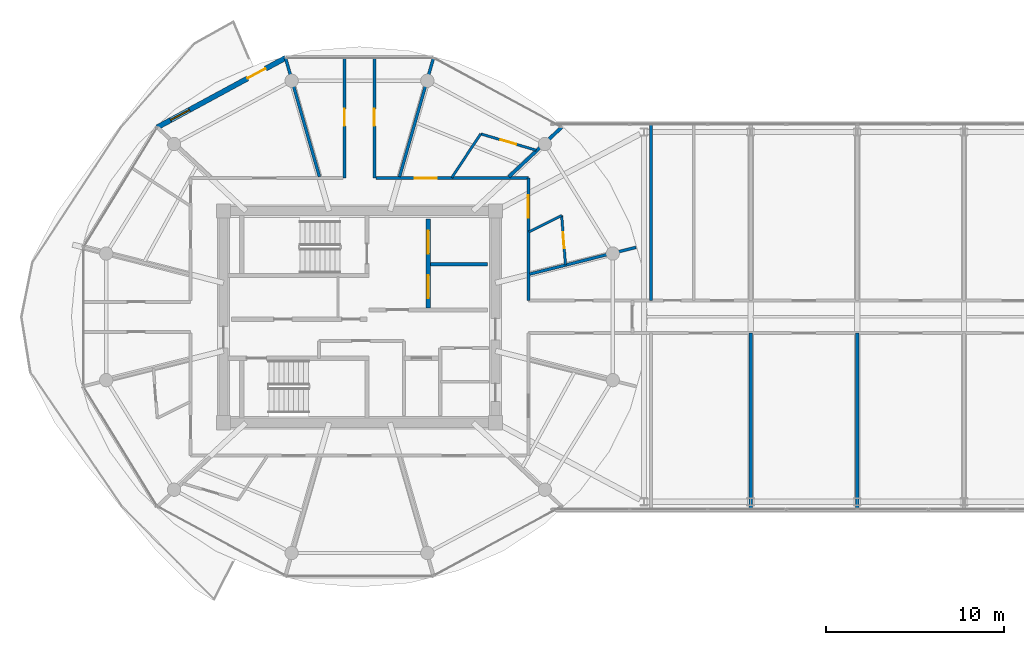
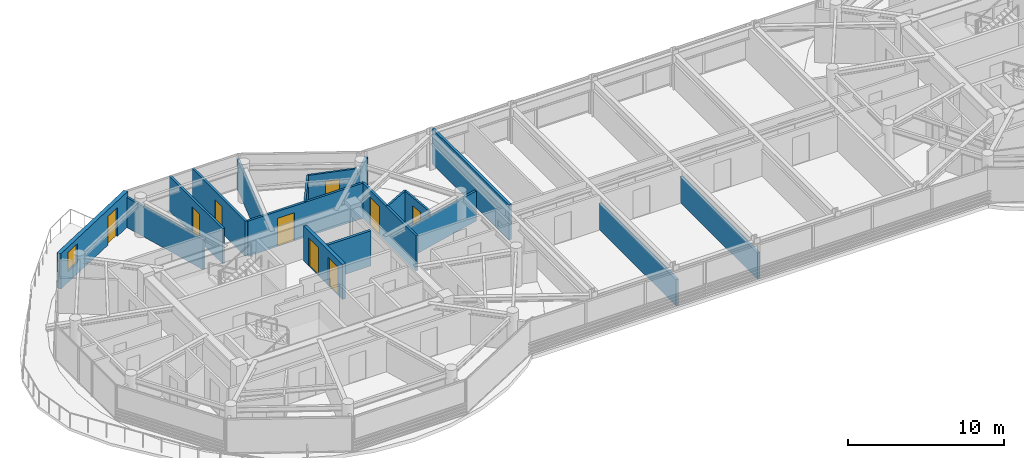
# One storey, part 16 of 23: 18 walls, 9 doors, 1 window, 10 openings.
"""IFC4 building model written with IfcOpenShell, lengths in metres."""

from ifc_helpers import new_model, si_unit, direction, frame, frame_2d, origin, place, context, subcontext, project, spatial, rectangle, extrude, source, transform, mapped, material, layer, layer_set, type_object, type_shapes, element, fill, save


model = new_model("IFC4")

# Units and contexts
model_context = context("Model", 3, precision=1e-05, world=origin(), true_north=direction((0.0, 1.0)))
body_context = subcontext(model_context, "Body", "Model", "MODEL_VIEW")
ifc_project = project(units=[si_unit("LENGTHUNIT", "METRE"), si_unit("AREAUNIT", "SQUARE_METRE"), si_unit("VOLUMEUNIT", "CUBIC_METRE"), si_unit("PLANEANGLEUNIT", "RADIAN"), si_unit("MASSUNIT", "GRAM", prefix="KILO")], contexts=[model_context])

# Site, building, storey
site_placement = place(None, origin())
site = spatial("IfcSite", under=ifc_project, at=site_placement, CompositionType="ELEMENT")
building_placement = place(site_placement, origin())
building = spatial("IfcBuilding", under=site, at=building_placement, Name="Norrkilde Senior Care Towers", CompositionType="ELEMENT")
storey_placement = place(building_placement, frame((0.0, 0.0, 207.800048828125)))
storey = spatial("IfcBuildingStorey", under=building, at=storey_placement, Name="L64", CompositionType="ELEMENT", Elevation=207.800048828125)

# Wall, openings, door, window
ifc_material_1 = material(Name="Precast concrete C45/55", Category="concrete")
ifc_layer_1 = layer(ifc_material_1, 0.2900390625)
ifc_layer_set_1 = layer_set([ifc_layer_1], Name="Precast concrete C45/55")
wall_type_1 = type_object("IfcWallType", Name="Winter Garden Facade Wall 290", PredefinedType="SOLIDWALL", material=ifc_layer_set_1)
shared_shape_1 = source(origin(), body_context, "Body", "SweptSolid", [
    extrude(rectangle(XDim=8.197265625, YDim=0.2900390625, at=frame_2d((4.0986328125, 0.0))), origin(), (0.0, 0.0, 1.0), 2.760009765625),
])
type_shapes(wall_type_1, [shared_shape_1])
wall_1_placement = place(storey_placement, frame((-39.370361328125, 10.6630859375, 0.0), z_axis=(0.0, 0.0, 1.0), x_axis=(0.879369910001, 0.476139224791, 0.0)))
wall_1 = element("IfcWall", 1, at=wall_1_placement, inside=storey, type_object=wall_type_1, Name="L64 Drum W Balcony Access Wall 03", PredefinedType="SOLIDWALL", context=body_context, shape_type="MappedRepresentation", body=[
    mapped(shared_shape_1, transform((0.0, 0.0, 0.0), x_axis=(1.0, 0.0, 0.0), y_axis=(0.0, 1.0, 0.0), z_axis=(0.0, 0.0, 1.0), scale=1.0)),
])
opening_1_placement = place(wall_1_placement, frame((5.780029296875, 0.0, 0.0)))
opening_1 = element("IfcOpeningElement", 2, at=opening_1_placement, cuts=wall_1, Name="Opening D-09", PredefinedType="OPENING", context=body_context, shape_type="SweptSolid", body=[
    extrude(rectangle(XDim=1.14990234375, YDim=2.25, at=frame_2d((0.574951171875, 1.125))), frame((0.0, 0.155029296875, 0.0), z_axis=(0.0, -1.0, 0.0), x_axis=(1.0, 0.0, 0.0)), (0.0, 0.0, 1.0), 0.31005859375),
])
opening_2_placement = place(wall_1_placement, frame((0.85009765625, 0.0, 0.85009765625)))
opening_2 = element("IfcOpeningElement", 3, at=opening_2_placement, cuts=wall_1, Name="Opening WN-07", PredefinedType="OPENING", context=body_context, shape_type="SweptSolid", body=[
    extrude(rectangle(XDim=1.199951171875, YDim=1.5, at=frame_2d((0.60009765625, 0.75))), frame((0.0, 0.155029296875, 0.0), z_axis=(0.0, -1.0, 0.0), x_axis=(1.0, 0.0, 0.0)), (0.0, 0.0, 1.0), 0.31005859375),
])
ifc_material_2 = material(Name="Anodised Aluminium", Category="aluminium")
door_type_1 = type_object("IfcDoorType", Name="Terrace and Balcony Glazed Door 1150x2250", OperationType="NOTDEFINED", PredefinedType="DOOR", material=ifc_material_2)
shared_shape_2 = source(origin(), body_context, "Body", "SweptSolid", [
    extrude(rectangle(XDim=1.14990234375, YDim=2.25, at=frame_2d((0.574951171875, 1.125))), frame((0.0, 0.02490234375, 0.0), z_axis=(0.0, -1.0, 0.0), x_axis=(1.0, 0.0, 0.0)), (0.0, 0.0, 1.0), 0.050048828125),
])
type_shapes(door_type_1, [shared_shape_2])
door_1_placement = place(opening_1_placement, origin())
door_1 = element("IfcDoor", 4, at=door_1_placement, inside=storey, type_object=door_type_1, Name="L64 Drum W Outdoor Terrace Door 03", OperationType="SINGLE_SWING_RIGHT", OverallHeight=2.25, OverallWidth=1.14990234375, PredefinedType="DOOR", context=body_context, shape_type="MappedRepresentation", body=[
    mapped(shared_shape_2, transform((0.0, 0.0, 0.0), x_axis=(1.0, 0.0, 0.0), y_axis=(0.0, 1.0, 0.0), z_axis=(0.0, 0.0, 1.0), scale=1.0)),
])
fill(opening_1, door_1)
ifc_material_3 = material(Name="Triple Low-E Insulated Glazing", Category="glass")
window_type = type_object("IfcWindowType", Name="Stairwell Smoke Vent Window 1200x1500", PartitioningType="SINGLE_PANEL", PredefinedType="WINDOW", material=ifc_material_3)
shared_shape_3 = source(origin(), body_context, "Body", "SweptSolid", [
    extrude(rectangle(XDim=1.199951171875, YDim=1.5, at=frame_2d((0.60009765625, 0.75))), frame((0.0, 0.030029296875, 0.0), z_axis=(0.0, -1.0, 0.0), x_axis=(1.0, 0.0, 0.0)), (0.0, 0.0, 1.0), 0.06005859375),
])
type_shapes(window_type, [shared_shape_3])
window_placement = place(opening_2_placement, origin())
window = element("IfcWindow", 5, at=window_placement, inside=storey, type_object=window_type, Name="L64 Drum W Winter Garden Window 03", OverallHeight=1.5, OverallWidth=1.199951171875, PartitioningType="SINGLE_PANEL", PredefinedType="WINDOW", context=body_context, shape_type="MappedRepresentation", body=[
    mapped(shared_shape_3, transform((0.0, 0.0, 0.0), x_axis=(1.0, 0.0, 0.0), y_axis=(0.0, 1.0, 0.0), z_axis=(0.0, 0.0, 1.0), scale=1.0)),
])
fill(opening_2, window)

# Walls
ifc_material_4 = material(Name="Gypsum Acoustic Board")
ifc_layer_2 = layer(ifc_material_4, 0.1650390625)
ifc_layer_set_2 = layer_set([ifc_layer_2], Name="Gypsum Acoustic Board")
wall_type_2 = type_object("IfcWallType", Name="Corridor Rated Partition 165", PredefinedType="PARTITIONING", material=ifc_layer_set_2)
shared_shape_4 = source(origin(), body_context, "Body", "SweptSolid", [
    extrude(rectangle(XDim=6.973876953125, YDim=0.1650390625, at=frame_2d((3.48681640625, 0.0))), origin(), (0.0, 0.0, 1.0), 2.344970703125),
])
for number, where, z_axis, x_axis, name in (
    (6, (-25.748779296875, 7.8798828125, 0.0), (0.0, 0.0, 1.0), (0.274707256801, 0.961527910703, 0.0), "WL-INT-L64-W-DEM-02-0"),
    (7, (-30.251220703125, 7.8798828125, 0.0), (0.0, 0.0, 1.0), (-0.274707256801, 0.961527910703, 0.0), "WL-INT-L64-W-DEM-03-0"),
):
    element("IfcWall", number, at=place(storey_placement, frame(where, z_axis=z_axis, x_axis=x_axis)), inside=storey, type_object=wall_type_2, Name=name, PredefinedType="PARTITIONING", context=body_context, shape_type="MappedRepresentation", body=[
        mapped(shared_shape_4, transform((0.0, 0.0, 0.0), x_axis=(1.0, 0.0, 0.0), y_axis=(0.0, 1.0, 0.0), z_axis=(0.0, 0.0, 1.0), scale=1.0)),
    ])
shared_shape_5 = source(origin(), body_context, "Body", "SweptSolid", [
    extrude(rectangle(XDim=6.1572265625, YDim=0.1650390625, at=frame_2d((3.07861328125, 0.0))), origin(), (0.0, 0.0, 1.0), 2.344970703125),
])
wall_2_placement = place(storey_placement, frame((-18.419921875, 2.407470703125, 0.0), z_axis=(0.0, 0.0, 1.0), x_axis=(0.969840867184, 0.243738984038, 0.0)))
element("IfcWall", 8, at=wall_2_placement, inside=storey, type_object=wall_type_2, Name="WL-INT-L64-W-DEM-00-0", PredefinedType="PARTITIONING", context=body_context, shape_type="MappedRepresentation", body=[
    mapped(shared_shape_5, transform((0.0, 0.0, 0.0), x_axis=(1.0, 0.0, 0.0), y_axis=(0.0, 1.0, 0.0), z_axis=(0.0, 0.0, 1.0), scale=1.0)),
])
ifc_layer_3 = layer(ifc_material_4, 0.18994140625)
ifc_layer_set_3 = layer_set([ifc_layer_3], Name="Gypsum Acoustic Board")
wall_type_3 = type_object("IfcWallType", Name="Unit Demising Acoustic Wall 190", PredefinedType="PARTITIONING", material=ifc_layer_set_3)
shared_shape_6 = source(origin(), body_context, "Body", "SweptSolid", [
    extrude(rectangle(XDim=4.089111328125, YDim=0.18994140625, at=frame_2d((2.04443359375, 0.0))), origin(), (0.0, 0.0, 1.0), 2.344970703125),
])
wall_3_placement = place(storey_placement, frame((-19.59814453125, 7.8798828125, 0.0), z_axis=(0.0, 0.0, 1.0), x_axis=(0.729401273609, 0.684086092577, 0.0)))
element("IfcWall", 9, at=wall_3_placement, inside=storey, type_object=wall_type_3, Name="WL-INT-L64-W-DEM-01-0", PredefinedType="PARTITIONING", context=body_context, shape_type="MappedRepresentation", body=[
    mapped(shared_shape_6, transform((0.0, 0.0, 0.0), x_axis=(1.0, 0.0, 0.0), y_axis=(0.0, 1.0, 0.0), z_axis=(0.0, 0.0, 1.0), scale=1.0)),
])

# Wall, openings, doors
ifc_material_5 = material(Name="Concrete C45/55", Category="concrete")
ifc_layer_4 = layer(ifc_material_5, 0.239990234375)
ifc_layer_set_4 = layer_set([ifc_layer_4], Name="Concrete C45/55")
wall_type_4 = type_object("IfcWallType", Name="Lift and Plant Rated Enclosure Partition 240", PredefinedType="PARTITIONING", material=ifc_layer_set_4)
shared_shape_7 = source(origin(), body_context, "Body", "SweptSolid", [
    extrude(rectangle(XDim=5.0, YDim=0.239990234375, at=frame_2d((2.5, 0.0))), origin(), (0.0, 0.0, 1.0), 2.744873046875),
])
type_shapes(wall_type_4, [shared_shape_7])
wall_4_placement = place(storey_placement, frame((-24.139892578125, 0.5, 0.0), z_axis=(0.0, 0.0, 1.0), x_axis=(0.0, 1.0, 0.0)))
wall_4 = element("IfcWall", 10, at=wall_4_placement, inside=storey, type_object=wall_type_4, Name="WL-INT-L64-W-FFLE", PredefinedType="PARTITIONING", context=body_context, shape_type="MappedRepresentation", body=[
    mapped(shared_shape_7, transform((0.0, 0.0, 0.0), x_axis=(1.0, 0.0, 0.0), y_axis=(0.0, 1.0, 0.0), z_axis=(0.0, 0.0, 1.0), scale=1.0)),
])
opening_3_placement = place(wall_4_placement, frame((3.050048828125, 0.0, 0.0)))
opening_3 = element("IfcOpeningElement", 11, at=opening_3_placement, cuts=wall_4, Name="Opening LD-02", PredefinedType="OPENING", context=body_context, shape_type="SweptSolid", body=[
    extrude(rectangle(XDim=1.300048828125, YDim=2.199951171875, at=frame_2d((0.64990234375, 1.10009765625))), frame((0.0, 0.1298828125, 0.0), z_axis=(0.0, -1.0, 0.0), x_axis=(1.0, 0.0, 0.0)), (0.0, 0.0, 1.0), 0.260009765625),
])
opening_4_placement = place(wall_4_placement, frame((0.550048828125, 0.0, 0.0)))
opening_4 = element("IfcOpeningElement", 12, at=opening_4_placement, cuts=wall_4, Name="Opening LD-02", PredefinedType="OPENING", context=body_context, shape_type="SweptSolid", body=[
    extrude(rectangle(XDim=1.300048828125, YDim=2.199951171875, at=frame_2d((0.64990234375, 1.10009765625))), frame((0.0, 0.1298828125, 0.0), z_axis=(0.0, -1.0, 0.0), x_axis=(1.0, 0.0, 0.0)), (0.0, 0.0, 1.0), 0.260009765625),
])
ifc_material_6 = material(Name="Stainless Steel", Category="steel")
door_type_2 = type_object("IfcDoorType", Name="Stretcher and FFL Landing Sliding Door 1300x2200", OperationType="NOTDEFINED", PredefinedType="DOOR", material=ifc_material_6)
shared_shape_8 = source(origin(), body_context, "Body", "SweptSolid", [
    extrude(rectangle(XDim=1.300048828125, YDim=2.199951171875, at=frame_2d((0.64990234375, 1.10009765625))), frame((0.0, 0.02490234375, 0.0), z_axis=(0.0, -1.0, 0.0), x_axis=(1.0, 0.0, 0.0)), (0.0, 0.0, 1.0), 0.050048828125),
])
type_shapes(door_type_2, [shared_shape_8])
door_2_placement = place(opening_3_placement, origin())
door_2 = element("IfcDoor", 13, at=door_2_placement, inside=storey, type_object=door_type_2, Name="L64 Firefighting Lift W1 Landing Door", OperationType="SLIDING_TO_LEFT", OverallHeight=2.199951171875, OverallWidth=1.300048828125, PredefinedType="DOOR", context=body_context, shape_type="MappedRepresentation", body=[
    mapped(shared_shape_8, transform((0.0, 0.0, 0.0), x_axis=(1.0, 0.0, 0.0), y_axis=(0.0, 1.0, 0.0), z_axis=(0.0, 0.0, 1.0), scale=1.0)),
])
fill(opening_3, door_2)
door_3_placement = place(opening_4_placement, origin())
door_3 = element("IfcDoor", 14, at=door_3_placement, inside=storey, type_object=door_type_2, Name="L64 Stretcher Lift W1 Landing Door", OperationType="SLIDING_TO_RIGHT", OverallHeight=2.199951171875, OverallWidth=1.300048828125, PredefinedType="DOOR", context=body_context, shape_type="MappedRepresentation", body=[
    mapped(shared_shape_8, transform((0.0, 0.0, 0.0), x_axis=(1.0, 0.0, 0.0), y_axis=(0.0, 1.0, 0.0), z_axis=(0.0, 0.0, 1.0), scale=1.0)),
])
fill(opening_4, door_3)

# Wall
ifc_layer_5 = layer(ifc_material_5, 0.199951171875)
ifc_layer_set_5 = layer_set([ifc_layer_5], Name="Concrete C45/55")
wall_type_5 = type_object("IfcWallType", Name="Shaft Division and Plant Partition 200", PredefinedType="PARTITIONING", material=ifc_layer_set_5)
shared_shape_9 = source(origin(), body_context, "Body", "SweptSolid", [
    extrude(rectangle(XDim=3.199951171875, YDim=0.199951171875, at=frame_2d((1.60009765625, 0.0))), origin(), (0.0, 0.0, 1.0), 2.744873046875),
])
type_shapes(wall_type_5, [shared_shape_9])
wall_5_placement = place(storey_placement, frame((-24.0, 2.949951171875, 0.0), z_axis=(0.0, 0.0, 1.0), x_axis=(1.0, 0.0, 0.0)))
element("IfcWall", 15, at=wall_5_placement, inside=storey, type_object=wall_type_5, Name="WL-INT-L64-W-FFLDIV", PredefinedType="PARTITIONING", context=body_context, shape_type="MappedRepresentation", body=[
    mapped(shared_shape_9, transform((0.0, 0.0, 0.0), x_axis=(1.0, 0.0, 0.0), y_axis=(0.0, 1.0, 0.0), z_axis=(0.0, 0.0, 1.0), scale=1.0)),
])

# Wall, opening, door
shared_shape_10 = source(origin(), body_context, "Body", "SweptSolid", [
    extrude(rectangle(XDim=8.580078125, YDim=0.1650390625, at=frame_2d((4.2900390625, 0.0))), origin(), (0.0, 0.0, 1.0), 2.744873046875),
])
wall_6_placement = place(storey_placement, frame((-27.080078125, 7.800048828125, 0.0), z_axis=(0.0, 0.0, 1.0), x_axis=(1.0, 0.0, 0.0)))
wall_6 = element("IfcWall", 16, at=wall_6_placement, inside=storey, type_object=wall_type_2, Name="WL-INT-L64-W-CRW-N-1", PredefinedType="PARTITIONING", context=body_context, shape_type="MappedRepresentation", body=[
    mapped(shared_shape_10, transform((0.0, 0.0, 0.0), x_axis=(1.0, 0.0, 0.0), y_axis=(0.0, 1.0, 0.0), z_axis=(0.0, 0.0, 1.0), scale=1.0)),
])
opening_5_placement = place(wall_6_placement, frame((2.18017578125, 0.0, 0.0)))
opening_5 = element("IfcOpeningElement", 17, at=opening_5_placement, cuts=wall_6, Name="Opening D-05", PredefinedType="OPENING", context=body_context, shape_type="SweptSolid", body=[
    extrude(rectangle(XDim=1.25, YDim=2.199951171875, at=frame_2d((0.625, 1.10009765625))), frame((0.0, 0.092529296875, 0.0), z_axis=(0.0, -1.0, 0.0), x_axis=(1.0, 0.0, 0.0)), (0.0, 0.0, 1.0), 0.18505859375),
])
ifc_material_7 = material(Name="Nordic Ash Timber", Category="wood")
door_type_3 = type_object("IfcDoorType", Name="Care Bedroom Bariatric Door 1250x2200", OperationType="NOTDEFINED", PredefinedType="DOOR", material=ifc_material_7)
shared_shape_11 = source(origin(), body_context, "Body", "SweptSolid", [
    extrude(rectangle(XDim=1.25, YDim=2.199951171875, at=frame_2d((0.625, 1.10009765625))), frame((0.0, 0.02490234375, 0.0), z_axis=(0.0, -1.0, 0.0), x_axis=(1.0, 0.0, 0.0)), (0.0, 0.0, 1.0), 0.050048828125),
])
type_shapes(door_type_3, [shared_shape_11])
door_4_placement = place(opening_5_placement, frame((1.25, 0.0, 0.0), z_axis=(0.0, 0.0, 1.0), x_axis=(-1.0, 0.0, 0.0)))
door_4 = element("IfcDoor", 18, at=door_4_placement, inside=storey, type_object=door_type_3, Name="L64 Care Suite 6401 Entrance Door", OperationType="SINGLE_SWING_RIGHT", OverallHeight=2.199951171875, OverallWidth=1.25, PredefinedType="DOOR", context=body_context, shape_type="MappedRepresentation", body=[
    mapped(shared_shape_11, transform((0.0, 0.0, 0.0), x_axis=(1.0, 0.0, 0.0), y_axis=(0.0, 1.0, 0.0), z_axis=(0.0, 0.0, 1.0), scale=1.0)),
])
fill(opening_5, door_4)

shared_shape_12 = source(origin(), body_context, "Body", "SweptSolid", [
    extrude(rectangle(XDim=6.880126953125, YDim=0.1650390625, at=frame_2d((3.43994140625, 0.0))), origin(), (0.0, 0.0, 1.0), 2.744873046875),
])
wall_7_placement = place(storey_placement, frame((-18.5, 7.800048828125, 0.0), z_axis=(0.0, 0.0, 1.0), x_axis=(0.0, -1.0, 0.0)))
wall_7 = element("IfcWall", 19, at=wall_7_placement, inside=storey, type_object=wall_type_2, Name="WL-INT-L64-W-CRW-E-0", PredefinedType="PARTITIONING", context=body_context, shape_type="MappedRepresentation", body=[
    mapped(shared_shape_12, transform((0.0, 0.0, 0.0), x_axis=(1.0, 0.0, 0.0), y_axis=(0.0, 1.0, 0.0), z_axis=(0.0, 0.0, 1.0), scale=1.0)),
])
opening_6_placement = place(wall_7_placement, frame((0.96826171875, 0.0, 0.0)))
opening_6 = element("IfcOpeningElement", 20, at=opening_6_placement, cuts=wall_7, Name="Opening D-05", PredefinedType="OPENING", context=body_context, shape_type="SweptSolid", body=[
    extrude(rectangle(XDim=1.25, YDim=2.199951171875, at=frame_2d((0.625, 1.10009765625))), frame((0.0, 0.092529296875, 0.0), z_axis=(0.0, -1.0, 0.0), x_axis=(1.0, 0.0, 0.0)), (0.0, 0.0, 1.0), 0.18505859375),
])
door_5_placement = place(opening_6_placement, frame((1.25, 0.0, 0.0), z_axis=(0.0, 0.0, 1.0), x_axis=(-1.0, 0.0, 0.0)))
door_5 = element("IfcDoor", 21, at=door_5_placement, inside=storey, type_object=door_type_3, Name="L64 Care Suite 6400 Entrance Door", OperationType="SINGLE_SWING_LEFT", OverallHeight=2.199951171875, OverallWidth=1.25, PredefinedType="DOOR", context=body_context, shape_type="MappedRepresentation", body=[
    mapped(shared_shape_11, transform((0.0, 0.0, 0.0), x_axis=(1.0, 0.0, 0.0), y_axis=(0.0, 1.0, 0.0), z_axis=(0.0, 0.0, 1.0), scale=1.0)),
])
fill(opening_6, door_5)

shared_shape_13 = source(origin(), body_context, "Body", "SweptSolid", [
    extrude(rectangle(XDim=6.83544921875, YDim=0.1650390625, at=frame_2d((3.417724609375, 0.0))), origin(), (0.0, 0.0, 1.0), 2.744873046875),
])
type_shapes(wall_type_2, [shared_shape_4, shared_shape_5, shared_shape_10, shared_shape_12, shared_shape_13])
wall_8_placement = place(storey_placement, frame((-28.840087890625, 7.800048828125, 0.0), z_axis=(0.0, 0.0, 1.0), x_axis=(0.0, 1.0, 0.0)))
wall_8 = element("IfcWall", 22, at=wall_8_placement, inside=storey, type_object=wall_type_2, Name="WL-INT-L64-W-SPK-N1-0", PredefinedType="PARTITIONING", context=body_context, shape_type="MappedRepresentation", body=[
    mapped(shared_shape_13, transform((0.0, 0.0, 0.0), x_axis=(1.0, 0.0, 0.0), y_axis=(0.0, 1.0, 0.0), z_axis=(0.0, 0.0, 1.0), scale=1.0)),
])
opening_7_placement = place(wall_8_placement, frame((2.942626953125, 0.0, 0.0)))
opening_7 = element("IfcOpeningElement", 23, at=opening_7_placement, cuts=wall_8, Name="Opening D-07", PredefinedType="OPENING", context=body_context, shape_type="SweptSolid", body=[
    extrude(rectangle(XDim=0.949951171875, YDim=2.10009765625, at=frame_2d((0.47509765625, 1.050048828125))), frame((0.0, 0.092529296875, 0.0), z_axis=(0.0, -1.0, 0.0), x_axis=(1.0, 0.0, 0.0)), (0.0, 0.0, 1.0), 0.18505859375),
])
door_type_4 = type_object("IfcDoorType", Name="Internal Suite Bedroom Door 950x2100", OperationType="NOTDEFINED", PredefinedType="DOOR", material=ifc_material_7)
shared_shape_14 = source(origin(), body_context, "Body", "SweptSolid", [
    extrude(rectangle(XDim=0.949951171875, YDim=2.10009765625, at=frame_2d((0.47509765625, 1.050048828125))), frame((0.0, 0.02490234375, 0.0), z_axis=(0.0, -1.0, 0.0), x_axis=(1.0, 0.0, 0.0)), (0.0, 0.0, 1.0), 0.050048828125),
])
type_shapes(door_type_4, [shared_shape_14])
door_6_placement = place(opening_7_placement, frame((0.949951171875, 0.0, 0.0), z_axis=(0.0, 0.0, 1.0), x_axis=(-1.0, 0.0, 0.0)))
door_6 = element("IfcDoor", 24, at=door_6_placement, inside=storey, type_object=door_type_4, Name="L64 Sun Reading Lounge 3 Door", OperationType="SINGLE_SWING_RIGHT", OverallHeight=2.10009765625, OverallWidth=0.949951171875, PredefinedType="DOOR", context=body_context, shape_type="MappedRepresentation", body=[
    mapped(shared_shape_14, transform((0.0, 0.0, 0.0), x_axis=(1.0, 0.0, 0.0), y_axis=(0.0, 1.0, 0.0), z_axis=(0.0, 0.0, 1.0), scale=1.0)),
])
fill(opening_7, door_6)

wall_9_placement = place(storey_placement, frame((-27.159912109375, 14.635498046875, 0.0), z_axis=(0.0, 0.0, 1.0), x_axis=(0.0, -1.0, 0.0)))
wall_9 = element("IfcWall", 25, at=wall_9_placement, inside=storey, type_object=wall_type_2, Name="WL-INT-L64-W-SPK-N2-0", PredefinedType="PARTITIONING", context=body_context, shape_type="MappedRepresentation", body=[
    mapped(shared_shape_13, transform((0.0, 0.0, 0.0), x_axis=(1.0, 0.0, 0.0), y_axis=(0.0, 1.0, 0.0), z_axis=(0.0, 0.0, 1.0), scale=1.0)),
])
opening_8_placement = place(wall_9_placement, frame((2.942626953125, 0.0, 0.0)))
opening_8 = element("IfcOpeningElement", 26, at=opening_8_placement, cuts=wall_9, Name="Opening D-07", PredefinedType="OPENING", context=body_context, shape_type="SweptSolid", body=[
    extrude(rectangle(XDim=0.949951171875, YDim=2.10009765625, at=frame_2d((0.47509765625, 1.050048828125))), frame((0.0, 0.092529296875, 0.0), z_axis=(0.0, -1.0, 0.0), x_axis=(1.0, 0.0, 0.0)), (0.0, 0.0, 1.0), 0.18505859375),
])
door_7_placement = place(opening_8_placement, frame((0.949951171875, 0.0, 0.0), z_axis=(0.0, 0.0, 1.0), x_axis=(-1.0, 0.0, 0.0)))
door_7 = element("IfcDoor", 27, at=door_7_placement, inside=storey, type_object=door_type_4, Name="L64 Sun Reading Lounge 4 Door", OperationType="SINGLE_SWING_LEFT", OverallHeight=2.10009765625, OverallWidth=0.949951171875, PredefinedType="DOOR", context=body_context, shape_type="MappedRepresentation", body=[
    mapped(shared_shape_14, transform((0.0, 0.0, 0.0), x_axis=(1.0, 0.0, 0.0), y_axis=(0.0, 1.0, 0.0), z_axis=(0.0, 0.0, 1.0), scale=1.0)),
])
fill(opening_8, door_7)

# Wall
ifc_layer_6 = layer(ifc_material_4, 0.139892578125)
ifc_layer_set_6 = layer_set([ifc_layer_6], Name="Gypsum Acoustic Board")
wall_type_6 = type_object("IfcWallType", Name="En-suite Wet Room Wall 140", PredefinedType="PARTITIONING", material=ifc_layer_set_6)
shared_shape_15 = source(origin(), body_context, "Body", "SweptSolid", [
    extrude(rectangle(XDim=2.059814453125, YDim=0.139892578125, at=frame_2d((1.02978515625, 0.0))), origin(), (0.0, 0.0, 1.0), 2.744873046875),
])
wall_10_placement = place(storey_placement, frame((-18.469970703125, 4.7783203125, 0.0), z_axis=(0.0, 0.0, 1.0), x_axis=(0.893952568722, 0.448161583444, 0.0)))
element("IfcWall", 28, at=wall_10_placement, inside=storey, type_object=wall_type_6, Name="WL-INT-L64-W-ES-00", PredefinedType="PARTITIONING", context=body_context, shape_type="MappedRepresentation", body=[
    mapped(shared_shape_15, transform((0.0, 0.0, 0.0), x_axis=(1.0, 0.0, 0.0), y_axis=(0.0, 1.0, 0.0), z_axis=(0.0, 0.0, 1.0), scale=1.0)),
])

# Wall, opening, door
shared_shape_16 = source(origin(), body_context, "Body", "SweptSolid", [
    extrude(rectangle(XDim=2.79833984375, YDim=0.139892578125, at=frame_2d((1.399169921875, 0.0))), origin(), (0.0, 0.0, 1.0), 2.744873046875),
])
wall_11_placement = place(storey_placement, frame((-16.628662109375, 5.701416015625, 0.0), z_axis=(0.0, 0.0, 1.0), x_axis=(0.077823984089, -0.996967114553, 0.0)))
wall_11 = element("IfcWall", 29, at=wall_11_placement, inside=storey, type_object=wall_type_6, Name="WL-INT-L64-W-EF-00", PredefinedType="PARTITIONING", context=body_context, shape_type="MappedRepresentation", body=[
    mapped(shared_shape_16, transform((0.0, 0.0, 0.0), x_axis=(1.0, 0.0, 0.0), y_axis=(0.0, 1.0, 0.0), z_axis=(0.0, 0.0, 1.0), scale=1.0)),
])
opening_9_placement = place(wall_11_placement, frame((0.939208984375, 0.0, 0.0)))
opening_9 = element("IfcOpeningElement", 30, at=opening_9_placement, cuts=wall_11, Name="Opening D-08", PredefinedType="OPENING", context=body_context, shape_type="SweptSolid", body=[
    extrude(rectangle(XDim=0.919921875, YDim=2.10009765625, at=frame_2d((0.4599609375, 1.050048828125))), frame((0.0, 0.079833984375, 0.0), z_axis=(0.0, -1.0, 0.0), x_axis=(1.0, 0.0, 0.0)), (0.0, 0.0, 1.0), 0.159912109375),
])
door_type_5 = type_object("IfcDoorType", Name="Accessible Wet Room Door 920x2100", OperationType="NOTDEFINED", PredefinedType="DOOR", material=ifc_material_7)
shared_shape_17 = source(origin(), body_context, "Body", "SweptSolid", [
    extrude(rectangle(XDim=0.919921875, YDim=2.10009765625, at=frame_2d((0.4599609375, 1.050048828125))), frame((0.0, 0.02490234375, 0.0), z_axis=(0.0, -1.0, 0.0), x_axis=(1.0, 0.0, 0.0)), (0.0, 0.0, 1.0), 0.050048828125),
])
type_shapes(door_type_5, [shared_shape_17])
door_8_placement = place(opening_9_placement, origin())
door_8 = element("IfcDoor", 31, at=door_8_placement, inside=storey, type_object=door_type_5, Name="L64 Care Suite 6400 Bathroom Door", OperationType="SINGLE_SWING_RIGHT", OverallHeight=2.10009765625, OverallWidth=0.919921875, PredefinedType="DOOR", context=body_context, shape_type="MappedRepresentation", body=[
    mapped(shared_shape_17, transform((0.0, 0.0, 0.0), x_axis=(1.0, 0.0, 0.0), y_axis=(0.0, 1.0, 0.0), z_axis=(0.0, 0.0, 1.0), scale=1.0)),
])
fill(opening_9, door_8)

# Wall
shared_shape_18 = source(origin(), body_context, "Body", "SweptSolid", [
    extrude(rectangle(XDim=2.95263671875, YDim=0.139892578125, at=frame_2d((1.476318359375, 0.0))), origin(), (0.0, 0.0, 1.0), 2.744873046875),
])
wall_12_placement = place(storey_placement, frame((-22.8115234375, 7.830078125, 0.0), z_axis=(0.0, 0.0, 1.0), x_axis=(0.552427436518, 0.833560991999, 0.0)))
element("IfcWall", 32, at=wall_12_placement, inside=storey, type_object=wall_type_6, Name="WL-INT-L64-W-ES-01", PredefinedType="PARTITIONING", context=body_context, shape_type="MappedRepresentation", body=[
    mapped(shared_shape_18, transform((0.0, 0.0, 0.0), x_axis=(1.0, 0.0, 0.0), y_axis=(0.0, 1.0, 0.0), z_axis=(0.0, 0.0, 1.0), scale=1.0)),
])

# Wall, opening, door
shared_shape_19 = source(origin(), body_context, "Body", "SweptSolid", [
    extrude(rectangle(XDim=3.252197265625, YDim=0.139892578125, at=frame_2d((1.6259765625, 0.0))), origin(), (0.0, 0.0, 1.0), 2.744873046875),
])
type_shapes(wall_type_6, [shared_shape_15, shared_shape_16, shared_shape_18, shared_shape_19])
wall_13_placement = place(storey_placement, frame((-21.180419921875, 10.291259765625, 0.0), z_axis=(0.0, 0.0, 1.0), x_axis=(0.959294945864, -0.282406102695, 0.0)))
wall_13 = element("IfcWall", 33, at=wall_13_placement, inside=storey, type_object=wall_type_6, Name="WL-INT-L64-W-EF-01", PredefinedType="PARTITIONING", context=body_context, shape_type="MappedRepresentation", body=[
    mapped(shared_shape_19, transform((0.0, 0.0, 0.0), x_axis=(1.0, 0.0, 0.0), y_axis=(0.0, 1.0, 0.0), z_axis=(0.0, 0.0, 1.0), scale=1.0)),
])
opening_10_placement = place(wall_13_placement, frame((1.166259765625, 0.0, 0.0)))
opening_10 = element("IfcOpeningElement", 34, at=opening_10_placement, cuts=wall_13, Name="Opening D-08", PredefinedType="OPENING", context=body_context, shape_type="SweptSolid", body=[
    extrude(rectangle(XDim=0.919921875, YDim=2.10009765625, at=frame_2d((0.4599609375, 1.050048828125))), frame((0.0, 0.079833984375, 0.0), z_axis=(0.0, -1.0, 0.0), x_axis=(1.0, 0.0, 0.0)), (0.0, 0.0, 1.0), 0.159912109375),
])
door_9_placement = place(opening_10_placement, origin())
door_9 = element("IfcDoor", 35, at=door_9_placement, inside=storey, type_object=door_type_5, Name="L64 Care Suite 6401 Bathroom Door", OperationType="SINGLE_SWING_LEFT", OverallHeight=2.10009765625, OverallWidth=0.919921875, PredefinedType="DOOR", context=body_context, shape_type="MappedRepresentation", body=[
    mapped(shared_shape_17, transform((0.0, 0.0, 0.0), x_axis=(1.0, 0.0, 0.0), y_axis=(0.0, 1.0, 0.0), z_axis=(0.0, 0.0, 1.0), scale=1.0)),
])
fill(opening_10, door_9)

# Walls
shared_shape_20 = source(origin(), body_context, "Body", "SweptSolid", [
    extrude(rectangle(XDim=9.880126953125, YDim=0.18994140625, at=frame_2d((4.93994140625, 0.0))), origin(), (0.0, 0.0, 1.0), 2.744873046875),
])
wall_14_placement = place(storey_placement, frame((-11.60009765625, 0.919921875, 0.0), z_axis=(0.0, 0.0, 1.0), x_axis=(0.0, 1.0, 0.0)))
element("IfcWall", 36, at=wall_14_placement, inside=storey, type_object=wall_type_3, Name="WL-INT-L64-BR-EN-12", PredefinedType="PARTITIONING", context=body_context, shape_type="MappedRepresentation", body=[
    mapped(shared_shape_20, transform((0.0, 0.0, 0.0), x_axis=(1.0, 0.0, 0.0), y_axis=(0.0, 1.0, 0.0), z_axis=(0.0, 0.0, 1.0), scale=1.0)),
])
shared_shape_21 = source(origin(), body_context, "Body", "SweptSolid", [
    extrude(rectangle(XDim=9.880126953125, YDim=0.18994140625, at=frame_2d((4.93994140625, 0.0))), origin(), (0.0, 0.0, 1.0), 2.044921875),
])
type_shapes(wall_type_3, [shared_shape_6, shared_shape_20, shared_shape_21])
for number, where, z_axis, x_axis, name in (
    (37, (-6.0, -10.800048828125, 0.0), (0.0, 0.0, 1.0), (0.0, 1.0, 0.0), "WL-INT-L64-BR-VS1"),
    (38, (0.0, -10.800048828125, 0.0), (0.0, 0.0, 1.0), (0.0, 1.0, 0.0), "WL-INT-L64-BR-VS2"),
):
    element("IfcWall", number, at=place(storey_placement, frame(where, z_axis=z_axis, x_axis=x_axis)), inside=storey, type_object=wall_type_3, Name=name, PredefinedType="PARTITIONING", context=body_context, shape_type="MappedRepresentation", body=[
        mapped(shared_shape_21, transform((0.0, 0.0, 0.0), x_axis=(1.0, 0.0, 0.0), y_axis=(0.0, 1.0, 0.0), z_axis=(0.0, 0.0, 1.0), scale=1.0)),
    ])

save(model, "model.ifc")
